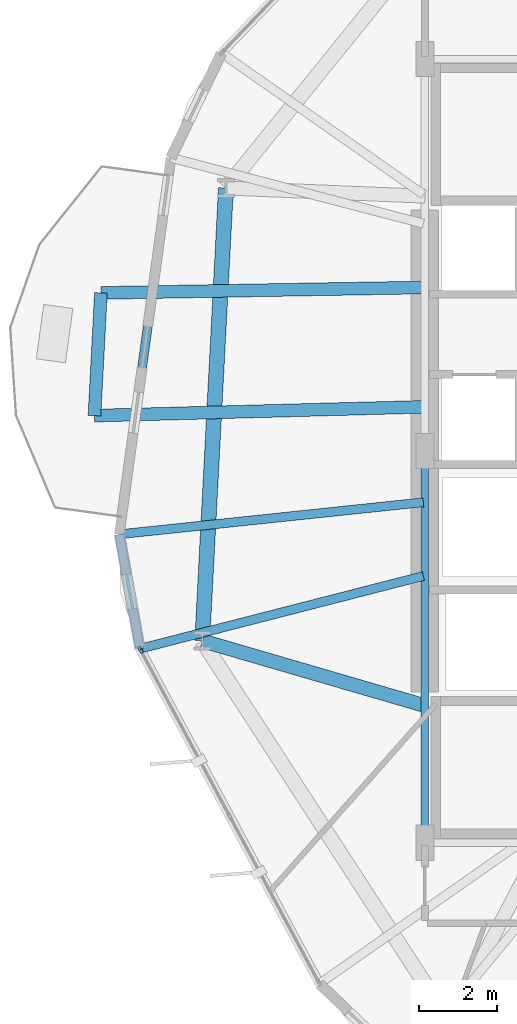
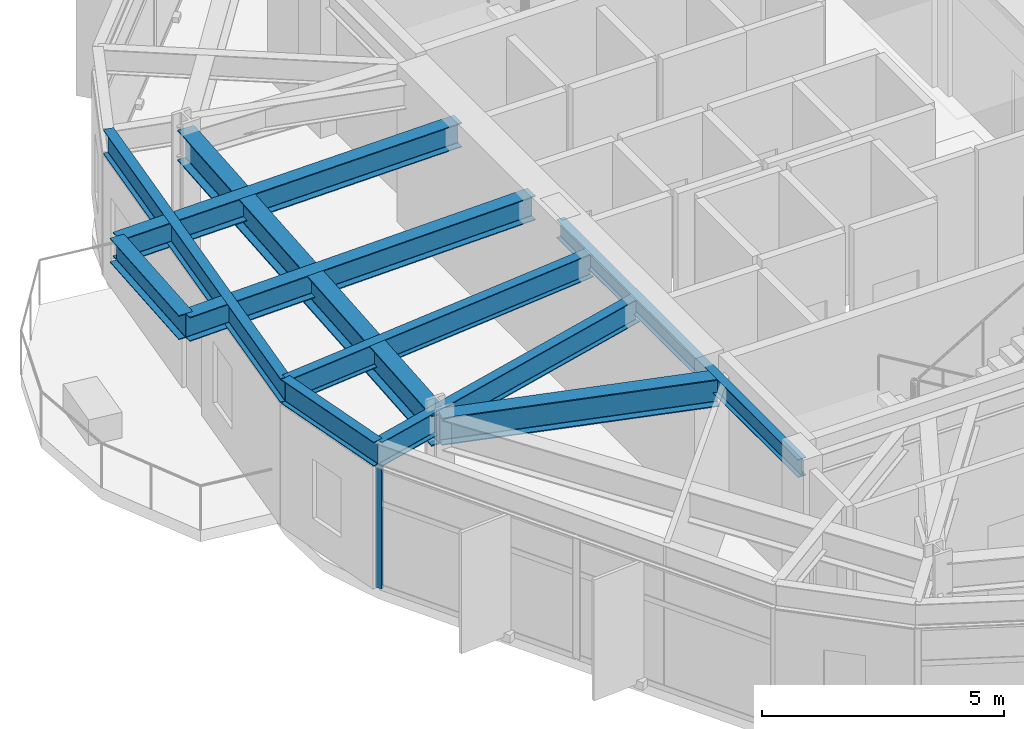
# One storey, part 6 of 22: 10 beams, 1 member, 1 element without a shape of its own.
"""IFC4 building model written with IfcOpenShell, lengths in metres."""

from ifc_helpers import new_model, si_unit, direction, frame, origin, origin_2d, place, context, subcontext, project, spatial, hollow_rectangle, i_section, extrude, material, layer, layer_set, material_profile, profile_set, type_object, element, aggregate, save


model = new_model("IFC4")

# Units and contexts
model_context = context("Model", 3, precision=1e-05, world=origin(), true_north=direction((0.0, 1.0)))
body_context = subcontext(model_context, "Body", "Model", "MODEL_VIEW")
ifc_project = project(units=[si_unit("LENGTHUNIT", "METRE"), si_unit("AREAUNIT", "SQUARE_METRE"), si_unit("VOLUMEUNIT", "CUBIC_METRE"), si_unit("PLANEANGLEUNIT", "RADIAN"), si_unit("MASSUNIT", "GRAM", prefix="KILO")], contexts=[model_context])

# Site, building, storey
site_placement = place(None, origin())
site = spatial("IfcSite", under=ifc_project, at=site_placement, CompositionType="ELEMENT")
building_placement = place(site_placement, origin())
building = spatial("IfcBuilding", under=site, at=building_placement, Name="Soratama Intermodal Tower", CompositionType="ELEMENT")
storey_placement = place(building_placement, frame((0.0, 0.0, 66.60009765625)))
storey = spatial("IfcBuildingStorey", under=building, at=storey_placement, Name="L15", CompositionType="ELEMENT", Elevation=66.60009765625)

# Beams
ifc_material_1 = material(Name="Structural steel ASTM A992 Grade 50", Category="steel")
ifc_material_profile_1 = material_profile(ifc_material_1, i_section(OverallWidth=0.324951171875, OverallDepth=0.615966796875, WebThickness=0.013916015625, FlangeThickness=0.021484375, FilletRadius=0.013916015625, at=origin_2d()), Name="W24X117")
ifc_profile_set_1 = profile_set([ifc_material_profile_1], Name="Structural steel ASTM A992 Grade 50")
beam_type_1 = type_object("IfcBeamType", Name="BM-CANT-W24X117", PredefinedType="BEAM", material=ifc_profile_set_1)
beam_1_placement = place(storey_placement, frame((24.33203125, 29.031982421875, 3.391845703125), z_axis=(-0.052325879315, -0.998630062813, 0.0), x_axis=(0.998630062813, -0.052325879315, 0.0)))
element("IfcBeam", 1, at=beam_1_placement, inside=storey, type_object=beam_type_1, Name="BM-L15-CBHDR-2", PredefinedType="BEAM", context=body_context, shape_type="SweptSolid", body=[
    extrude(i_section(OverallWidth=0.324951171875, OverallDepth=0.615966796875, WebThickness=0.013916015625, FlangeThickness=0.021484375, FilletRadius=0.013916015625, at=origin_2d()), origin(), (0.0, 0.0, 1.0), 3.135498046875),
])
beam_2_placement = place(storey_placement, frame((32.56005859375, 29.169921875, 3.391845703125), z_axis=(-0.999859503981, -0.016762228347, 0.0), x_axis=(0.016762228347, -0.999859503981, 0.0)))
element("IfcBeam", 2, at=beam_2_placement, inside=storey, type_object=beam_type_1, Name="BM-L15-CANT-2-1", PredefinedType="BEAM", context=body_context, shape_type="SweptSolid", body=[
    extrude(i_section(OverallWidth=0.324951171875, OverallDepth=0.615966796875, WebThickness=0.013916015625, FlangeThickness=0.021484375, FilletRadius=0.013916015625, at=origin_2d()), origin(), (0.0, 0.0, 1.0), 8.229248046875),
])
beam_3_placement = place(storey_placement, frame((32.56005859375, 26.125, 3.391845703125), z_axis=(-0.999643579245, -0.026696712799, 0.0), x_axis=(0.026696712799, -0.999643579245, 0.0)))
element("IfcBeam", 3, at=beam_3_placement, inside=storey, type_object=beam_type_1, Name="BM-L15-CANT-2-2", PredefinedType="BEAM", context=body_context, shape_type="SweptSolid", body=[
    extrude(i_section(OverallWidth=0.324951171875, OverallDepth=0.615966796875, WebThickness=0.013916015625, FlangeThickness=0.021484375, FilletRadius=0.013916015625, at=origin_2d()), origin(), (0.0, 0.0, 1.0), 8.39501953125),
])
ifc_material_2 = material(Name="Structural steel ASTM A992 Grade 50", Category="steel")
ifc_material_profile_2 = material_profile(ifc_material_2, i_section(OverallWidth=0.19091796875, OverallDepth=0.4599609375, WebThickness=0.010009765625, FlangeThickness=0.01611328125, FilletRadius=0.010986328125, at=origin_2d()), Name="W18X55")
ifc_profile_set_2 = profile_set([ifc_material_profile_2], Name="Structural steel ASTM A992 Grade 50")
beam_type_2 = type_object("IfcBeamType", Name="BM-FLR-W18X55", PredefinedType="BEAM", material=ifc_profile_set_2)
beam_4_placement = place(storey_placement, frame((32.60009765625, 25.0, 3.469970703125), z_axis=(0.0, -1.0, 0.0), x_axis=(1.0, 0.0, 0.0)))
element("IfcBeam", 4, at=beam_4_placement, inside=storey, type_object=beam_type_2, Name="BM-L15-CRING-09", PredefinedType="BEAM", context=body_context, shape_type="SweptSolid", body=[
    extrude(i_section(OverallWidth=0.19091796875, OverallDepth=0.4599609375, WebThickness=0.010009765625, FlangeThickness=0.01611328125, FilletRadius=0.010986328125, at=origin_2d()), origin(), (0.0, 0.0, 1.0), 10.0),
])
ifc_material_3 = material(Name="Structural steel ASTM A992 Grade 50", Category="steel")
ifc_material_profile_3 = material_profile(ifc_material_3, i_section(OverallWidth=0.35498046875, OverallDepth=0.695068359375, WebThickness=0.015380859375, FlangeThickness=0.02490234375, FilletRadius=0.01611328125, at=origin_2d()), Name="W27X146")
ifc_profile_set_3 = profile_set([ifc_material_profile_3], Name="Structural steel ASTM A992 Grade 50")
beam_type_3 = type_object("IfcBeamType", Name="BM-RING-W27X146", PredefinedType="BEAM", material=ifc_profile_set_3)
beam_5_placement = place(storey_placement, frame((32.60009765625, 18.5, 3.352294921875), z_axis=(-0.960102504931, 0.279648314898, 0.0), x_axis=(-0.279648314898, -0.960102504931, 0.0)))
element("IfcBeam", 5, at=beam_5_placement, inside=storey, type_object=beam_type_3, Name="BM-L15-RAD-06", PredefinedType="BEAM", context=body_context, shape_type="SweptSolid", body=[
    extrude(i_section(OverallWidth=0.35498046875, OverallDepth=0.695068359375, WebThickness=0.015380859375, FlangeThickness=0.02490234375, FilletRadius=0.01611328125, at=origin_2d()), origin(), (0.0, 0.0, 1.0), 5.918212890625),
])
ifc_material_4 = material(Name="Structural steel ASTM A992 Grade 50", Category="steel")
ifc_material_profile_4 = material_profile(ifc_material_4, i_section(OverallWidth=0.382080078125, OverallDepth=0.779052734375, WebThickness=0.01806640625, FlangeThickness=0.030029296875, FilletRadius=0.01806640625, at=origin_2d()), Name="W30X191")
ifc_profile_set_4 = profile_set([ifc_material_profile_4], Name="Structural steel ASTM A992 Grade 50")
beam_type_4 = type_object("IfcBeamType", Name="BM-RING-W30X191", PredefinedType="BEAM", material=ifc_profile_set_4)
beam_6_placement = place(storey_placement, frame((27.52294921875, 31.708984375, 3.310302734375), z_axis=(-0.052289698717, -0.998631957935, 0.0), x_axis=(0.998631957935, -0.052289698717, 0.0)))
element("IfcBeam", 6, at=beam_6_placement, inside=storey, type_object=beam_type_4, Name="BM-L15-RING-05", PredefinedType="BEAM", context=body_context, shape_type="SweptSolid", body=[
    extrude(i_section(OverallWidth=0.382080078125, OverallDepth=0.779052734375, WebThickness=0.01806640625, FlangeThickness=0.030029296875, FilletRadius=0.01806640625, at=origin_2d()), origin(), (0.0, 0.0, 1.0), 11.56982421875),
])
ifc_material_5 = material(Name="Structural steel ASTM A992 Grade 50", Category="steel")
ifc_material_profile_5 = material_profile(ifc_material_5, i_section(OverallWidth=0.22900390625, OverallDepth=0.612060546875, WebThickness=0.011962890625, FlangeThickness=0.01953125, FilletRadius=0.012939453125, at=origin_2d()), Name="W24X84")
ifc_profile_set_5 = profile_set([ifc_material_profile_5], Name="Structural steel ASTM A992 Grade 50")
beam_type_5 = type_object("IfcBeamType", Name="BM-SPN-W24X84", PredefinedType="SPANDREL", material=ifc_profile_set_5)
beam_7_placement = place(storey_placement, frame((26.116943359375, 32.48095703125, 3.393798828125), z_axis=(-0.135695125171, -0.990750641183, 0.0), x_axis=(0.990750641183, -0.135695125171, 0.0)))
element("IfcBeam", 7, at=beam_7_placement, inside=storey, type_object=beam_type_5, Name="BS-L15-F05", PredefinedType="SPANDREL", context=body_context, shape_type="SweptSolid", body=[
    extrude(i_section(OverallWidth=0.22900390625, OverallDepth=0.612060546875, WebThickness=0.011962890625, FlangeThickness=0.01953125, FilletRadius=0.012939453125, at=origin_2d()), origin(), (0.0, 0.0, 1.0), 9.697509765625),
])
beam_8_placement = place(storey_placement, frame((24.801025390625, 22.873046875, 3.393798828125), z_axis=(0.176915475646, -0.984226048465, 0.0), x_axis=(0.984226048465, 0.176915475646, 0.0)))
element("IfcBeam", 8, at=beam_8_placement, inside=storey, type_object=beam_type_5, Name="BS-L15-CRN05", PredefinedType="SPANDREL", context=body_context, shape_type="SweptSolid", body=[
    extrude(i_section(OverallWidth=0.22900390625, OverallDepth=0.612060546875, WebThickness=0.011962890625, FlangeThickness=0.01953125, FilletRadius=0.012939453125, at=origin_2d()), origin(), (0.0, 0.0, 1.0), 2.967041015625),
])
ifc_material_6 = material(Name="Structural steel ASTM A992 Grade 50", Category="steel")
ifc_material_profile_6 = material_profile(ifc_material_6, i_section(OverallWidth=0.22900390625, OverallDepth=0.612060546875, WebThickness=0.011962890625, FlangeThickness=0.01953125, FilletRadius=0.012939453125, at=origin_2d()), Name="W24X84")
ifc_profile_set_6 = profile_set([ifc_material_profile_6], Name="Structural steel ASTM A992 Grade 50")
beam_type_6 = type_object("IfcBeamType", Name="BM-TIE-W24X84", PredefinedType="BEAM", material=ifc_profile_set_6)
beam_9_placement = place(storey_placement, frame((32.56005859375, 23.68994140625, 3.393798828125), z_axis=(-0.994503395148, -0.104704331524, 0.0), x_axis=(0.104704331524, -0.994503395148, 0.0)))
element("IfcBeam", 9, at=beam_9_placement, inside=storey, type_object=beam_type_6, Name="BM-L15-TIE1-05", PredefinedType="BEAM", context=body_context, shape_type="SweptSolid", body=[
    extrude(i_section(OverallWidth=0.22900390625, OverallDepth=0.612060546875, WebThickness=0.011962890625, FlangeThickness=0.01953125, FilletRadius=0.012939453125, at=origin_2d()), origin(), (0.0, 0.0, 1.0), 7.802001953125),
])
beam_10_placement = place(storey_placement, frame((32.56103515625, 21.80908203125, 3.393798828125), z_axis=(-0.968630183776, -0.24850667411, 0.0), x_axis=(0.24850667411, -0.968630183776, 0.0)))
element("IfcBeam", 10, at=beam_10_placement, inside=storey, type_object=beam_type_6, Name="BM-L15-TIE0-06", PredefinedType="BEAM", context=body_context, shape_type="SweptSolid", body=[
    extrude(i_section(OverallWidth=0.22900390625, OverallDepth=0.612060546875, WebThickness=0.011962890625, FlangeThickness=0.01953125, FilletRadius=0.012939453125, at=origin_2d()), origin(), (0.0, 0.0, 1.0), 7.469482421875),
])

# Curtain wall, member
ifc_material_7 = material(Name="Double-glazed aluminium curtain wall", Category="aluminium")
ifc_layer = layer(ifc_material_7, 0.159912109375)
ifc_layer_set = layer_set([ifc_layer], Name="Double-glazed aluminium curtain wall")
curtain_wall_type = type_object("IfcCurtainWallType", Name="CW-SYS-2", PredefinedType="NOTDEFINED", material=ifc_layer_set)
curtain_wall_placement = place(storey_placement, origin())
curtain_wall = element("IfcCurtainWall", 11, at=curtain_wall_placement, inside=storey, type_object=curtain_wall_type, Name="L15 Faceted Curtain Wall F06", PredefinedType="NOTDEFINED")
ifc_material_8 = material(Name="Anodised aluminium AA 6063-T6", Category="aluminium")
ifc_material_profile_7 = material_profile(ifc_material_8, hollow_rectangle(XDim=0.074951171875, YDim=0.179931640625, WallThickness=0.006103515625, InnerFilletRadius=0.006103515625, OuterFilletRadius=0.011962890625, at=origin_2d()), Name="CWM180X75X6")
ifc_profile_set_7 = profile_set([ifc_material_profile_7], Name="Anodised aluminium AA 6063-T6")
member_type = type_object("IfcMemberType", Name="MT-CWM-2", PredefinedType="MULLION", material=ifc_profile_set_7)
member_placement = place(storey_placement, frame((25.34033203125, 19.926513671875, 0.0), z_axis=(0.0, 0.0, 1.0), x_axis=(0.881303777176, 0.47255015854, 0.0)))
member = element("IfcMember", 12, at=member_placement, type_object=member_type, Name="CW-2 mullion 1", PredefinedType="MULLION", context=body_context, shape_type="SweptSolid", body=[
    extrude(hollow_rectangle(XDim=0.074951171875, YDim=0.179931640625, WallThickness=0.006103515625, InnerFilletRadius=0.006103515625, OuterFilletRadius=0.011962890625, at=origin_2d()), origin(), (0.0, 0.0, 1.0), 3.078857421875),
])
aggregate(curtain_wall, [member])

save(model, "model.ifc")
